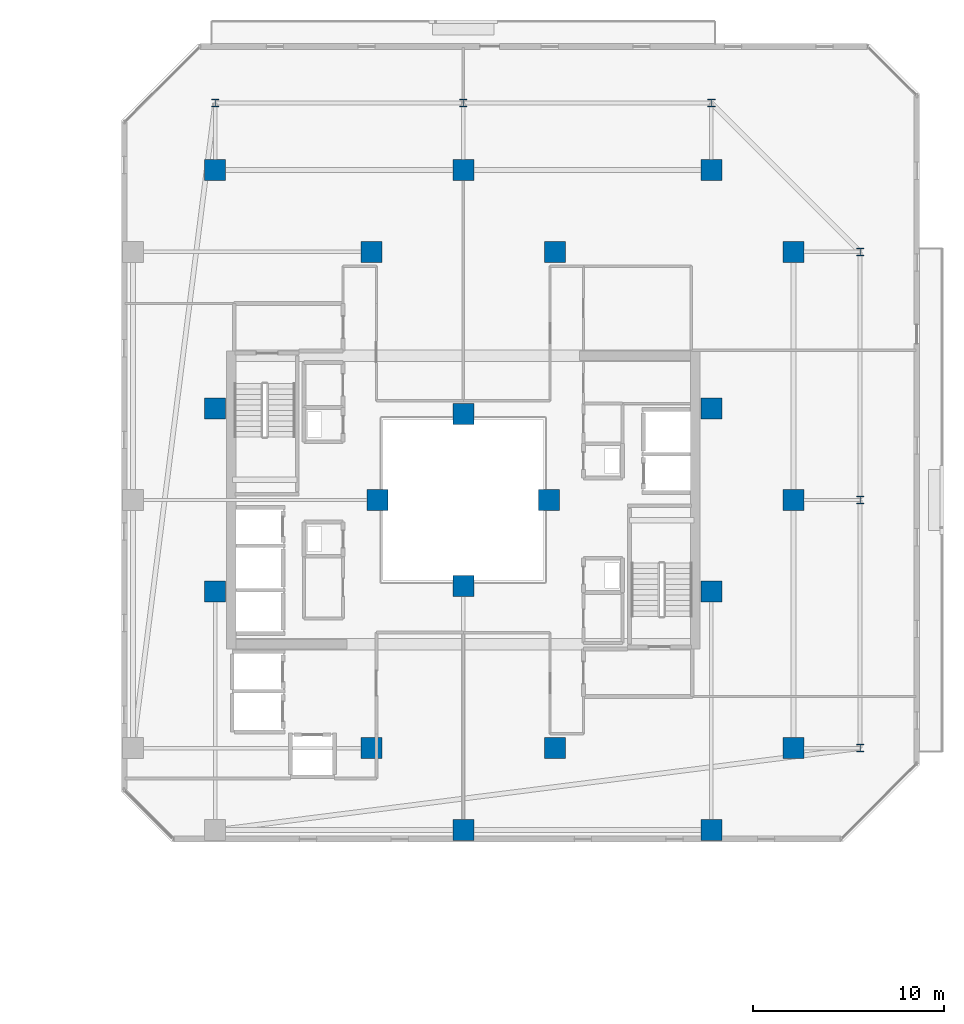
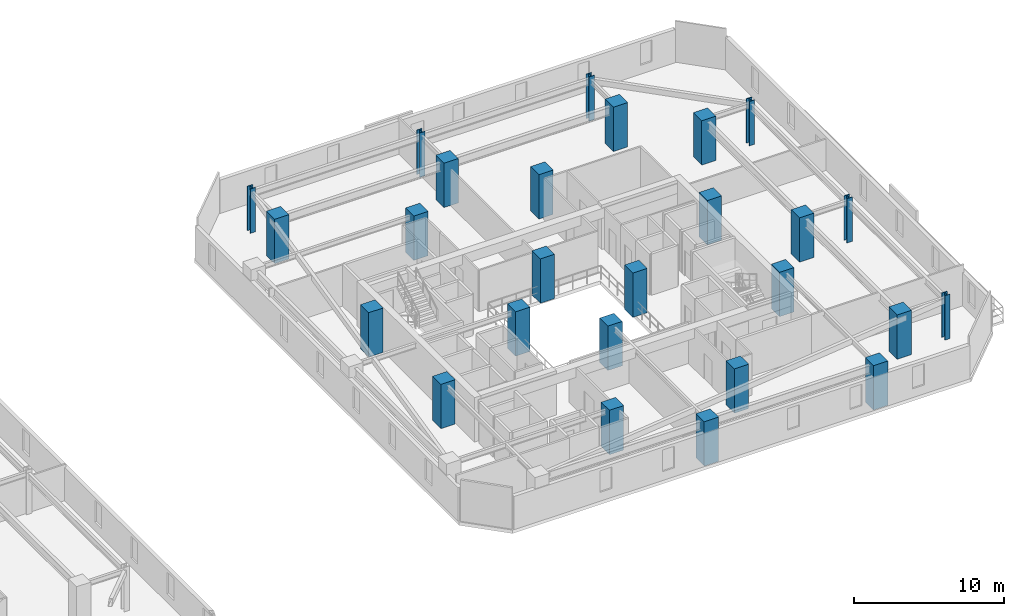
# One storey, part 2 of 32: 26 columns.
"""IFC4 building model written with IfcOpenShell, lengths in metres."""

from ifc_helpers import new_model, si_unit, direction, frame, origin, origin_2d, place, context, subcontext, project, spatial, rectangle, i_section, extrude, material, material_profile, profile_set, type_object, element, save


model = new_model("IFC4")

# Units and contexts
model_context = context("Model", 3, precision=1e-05, world=origin(), true_north=direction((0.0, 1.0)))
body_context = subcontext(model_context, "Body", "Model", "MODEL_VIEW")
ifc_project = project(units=[si_unit("LENGTHUNIT", "METRE"), si_unit("AREAUNIT", "SQUARE_METRE"), si_unit("VOLUMEUNIT", "CUBIC_METRE"), si_unit("PLANEANGLEUNIT", "RADIAN"), si_unit("MASSUNIT", "GRAM", prefix="KILO")], contexts=[model_context])

# Site, building, storey
site_placement = place(None, origin())
site = spatial("IfcSite", under=ifc_project, at=site_placement, CompositionType="ELEMENT")
building_placement = place(site_placement, origin())
building = spatial("IfcBuilding", under=site, at=building_placement, Name="Thornwick Lancets Civic Towers", CompositionType="ELEMENT")
storey_placement = place(building_placement, frame((0.0, 0.0, 152.699951171875)))
storey = spatial("IfcBuildingStorey", under=building, at=storey_placement, Name="L40", CompositionType="ELEMENT", Elevation=152.699951171875)

# Columns
ifc_material_1 = material(Name="Concrete C50/60", Category="concrete")
ifc_material_profile_1 = material_profile(ifc_material_1, rectangle(XDim=1.10009765625, YDim=1.10009765625, at=origin_2d()), Name="RC 1100x1100")
ifc_profile_set_1 = profile_set([ifc_material_profile_1], Name="Concrete C50/60")
column_type_1 = type_object("IfcColumnType", Name="COL_RC_1100", PredefinedType="COLUMN", material=ifc_profile_set_1)
for number, where, z_axis, x_axis, name in (
    (1, (105.800048828125, 14.0, 0.0), (0.0, 0.0, 1.0), (1.0, 0.0, 0.0), "L40 Spine Mega-Column B01"),
    (2, (105.800048828125, 27.0, 0.0), (0.0, 0.0, 1.0), (1.0, 0.0, 0.0), "L40 Spine Mega-Column B02"),
    (3, (105.800048828125, 40.0, 0.0), (0.0, 0.0, 1.0), (1.0, 0.0, 0.0), "L40 Spine Mega-Column B03"),
    (4, (101.5, 44.300048828125, 0.0), (0.0, 0.0, 1.0), (1.0, 0.0, 0.0), "L40 Spine Mega-Column B04"),
    (5, (88.5, 44.300048828125, 0.0), (0.0, 0.0, 1.0), (1.0, 0.0, 0.0), "L40 Spine Mega-Column B05"),
    (6, (75.5, 44.300048828125, 0.0), (0.0, 0.0, 1.0), (1.0, 0.0, 0.0), "L40 Spine Mega-Column B06"),
    (7, (101.5, 9.699951171875, 0.0), (0.0, 0.0, 1.0), (1.0, 0.0, 0.0), "L40 Spine Mega-Column B10"),
    (8, (88.5, 9.699951171875, 0.0), (0.0, 0.0, 1.0), (1.0, 0.0, 0.0), "L40 Spine Mega-Column B11"),
    (9, (93.300048828125, 14.0, 0.0), (0.0, 0.0, 1.0), (1.0, 0.0, 0.0), "L40 Spine Mega-Column B13"),
    (10, (93.300048828125, 40.0, 0.0), (0.0, 0.0, 1.0), (1.0, 0.0, 0.0), "L40 Spine Mega-Column B14"),
    (11, (83.699951171875, 14.0, 0.0), (0.0, 0.0, 1.0), (1.0, 0.0, 0.0), "L40 Spine Mega-Column B15"),
    (12, (83.699951171875, 40.0, 0.0), (0.0, 0.0, 1.0), (1.0, 0.0, 0.0), "L40 Spine Mega-Column B16"),
    (13, (101.5, 22.199951171875, 0.0), (0.0, 0.0, 1.0), (1.0, 0.0, 0.0), "L40 Spine Mega-Column B17"),
    (14, (101.5, 31.800048828125, 0.0), (0.0, 0.0, 1.0), (1.0, 0.0, 0.0), "L40 Spine Mega-Column B18"),
    (15, (75.5, 22.199951171875, 0.0), (0.0, 0.0, 1.0), (1.0, 0.0, 0.0), "L40 Spine Mega-Column B19"),
    (16, (75.5, 31.800048828125, 0.0), (0.0, 0.0, 1.0), (1.0, 0.0, 0.0), "L40 Spine Mega-Column B20"),
    (17, (93.0, 27.0, 0.0), (0.0, 0.0, 1.0), (1.0, 0.0, 0.0), "L40 Spine Mega-Column B21"),
    (18, (84.0, 27.0, 0.0), (0.0, 0.0, 1.0), (1.0, 0.0, 0.0), "L40 Spine Mega-Column B22"),
    (19, (88.5, 22.5, 0.0), (0.0, 0.0, 1.0), (1.0, 0.0, 0.0), "L40 Spine Mega-Column B23"),
    (20, (88.5, 31.5, 0.0), (0.0, 0.0, 1.0), (1.0, 0.0, 0.0), "L40 Spine Mega-Column B24"),
):
    element("IfcColumn", number, at=place(storey_placement, frame(where, z_axis=z_axis, x_axis=x_axis)), inside=storey, type_object=column_type_1, Name=name, PredefinedType="COLUMN", context=body_context, shape_type="SweptSolid", body=[
        extrude(rectangle(XDim=1.10009765625, YDim=1.10009765625, at=origin_2d()), origin(), (0.0, 0.0, 1.0), 3.60009765625),
    ])
ifc_material_2 = material(Name="Steel S460M", Category="steel")
ifc_material_profile_2 = material_profile(ifc_material_2, i_section(OverallWidth=0.406982421875, OverallDepth=0.4189453125, WebThickness=0.030517578125, FlangeThickness=0.04931640625, FilletRadius=0.01513671875, at=origin_2d()), Name="UKC 356x406x393")
ifc_profile_set_2 = profile_set([ifc_material_profile_2], Name="Steel S460M")
column_type_2 = type_object("IfcColumnType", Name="COL_UKC_393", PredefinedType="COLUMN", material=ifc_profile_set_2)
for number, where, z_axis, x_axis, name in (
    (21, (109.300048828125, 14.0, 0.0), (0.0, 0.0, 1.0), (1.0, 0.0, 0.0), "L40 Block Perimeter Column B01"),
    (22, (109.300048828125, 27.0, 0.0), (0.0, 0.0, 1.0), (1.0, 0.0, 0.0), "L40 Block Perimeter Column B02"),
    (23, (109.300048828125, 40.0, 0.0), (0.0, 0.0, 1.0), (1.0, 0.0, 0.0), "L40 Block Perimeter Column B03"),
    (24, (101.5, 47.800048828125, 0.0), (0.0, 0.0, 1.0), (1.0, 0.0, 0.0), "L40 Block Perimeter Column B04"),
    (25, (88.5, 47.800048828125, 0.0), (0.0, 0.0, 1.0), (1.0, 0.0, 0.0), "L40 Block Perimeter Column B05"),
    (26, (75.5, 47.800048828125, 0.0), (0.0, 0.0, 1.0), (1.0, 0.0, 0.0), "L40 Block Perimeter Column B06"),
):
    element("IfcColumn", number, at=place(storey_placement, frame(where, z_axis=z_axis, x_axis=x_axis)), inside=storey, type_object=column_type_2, Name=name, PredefinedType="COLUMN", context=body_context, shape_type="SweptSolid", body=[
        extrude(i_section(OverallWidth=0.406982421875, OverallDepth=0.4189453125, WebThickness=0.030517578125, FlangeThickness=0.04931640625, FilletRadius=0.01513671875, at=origin_2d()), origin(), (0.0, 0.0, 1.0), 3.60009765625),
    ])

save(model, "model.ifc")
